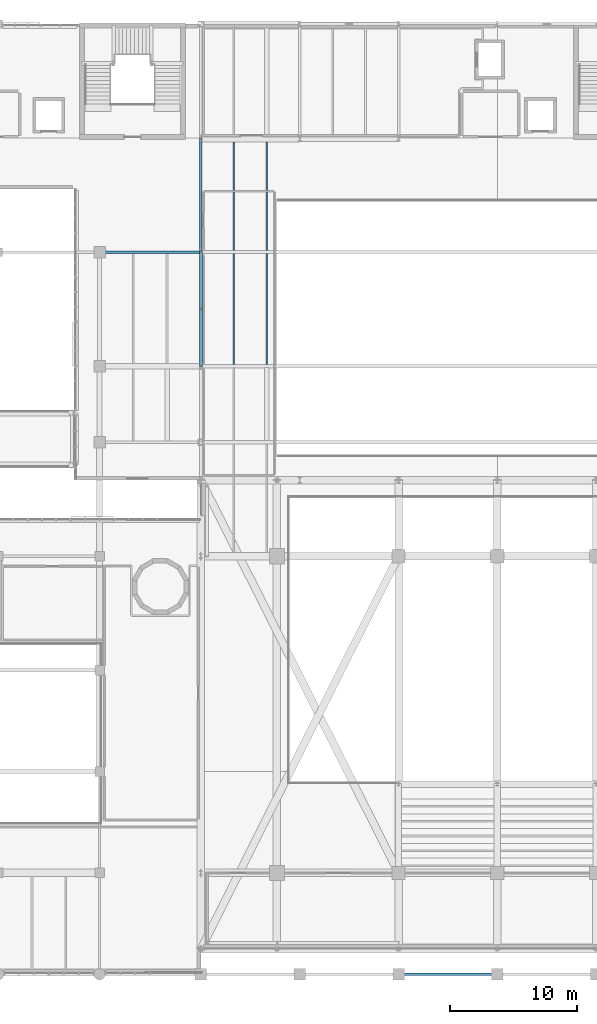
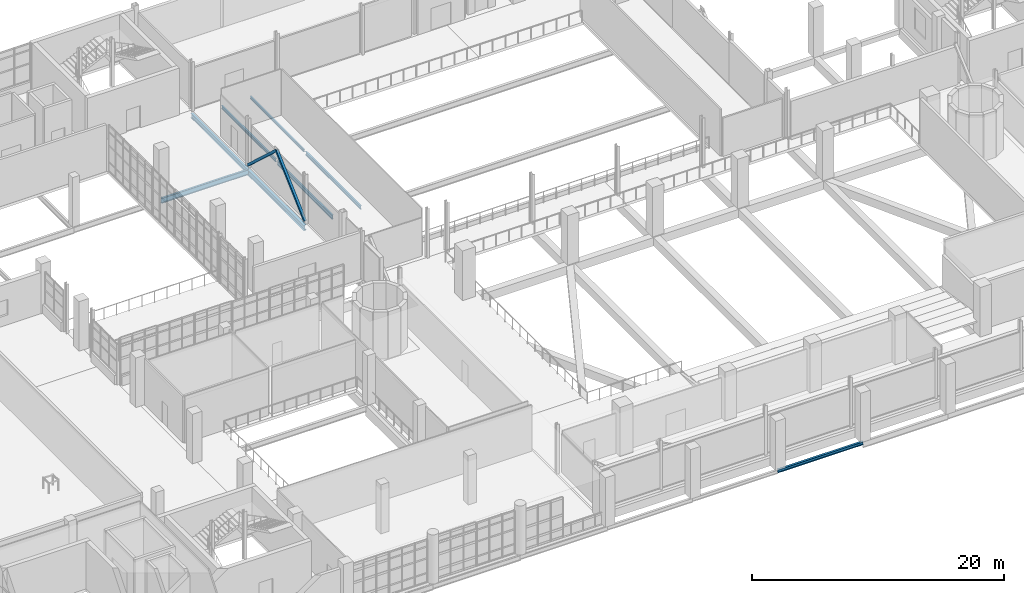
# One storey, part 31 of 100: 8 beams, 2 members.
"""IFC4 building model written with IfcOpenShell, lengths in metres."""

from ifc_helpers import new_model, si_unit, derived_unit, direction, frame, origin, origin_2d, place, context, subcontext, project, spatial, hollow_rectangle, i_section, extrude, material, material_profile, profile_set, type_object, element, save


model = new_model("IFC4")

# Units and contexts
model_context = context("Model", 3, precision=1e-05, world=origin(), true_north=direction((0.0, 1.0)))
body_context = subcontext(model_context, "Body", "Model", "MODEL_VIEW")
ifc_project = project(units=[si_unit("LENGTHUNIT", "METRE"), si_unit("AREAUNIT", "SQUARE_METRE"), si_unit("VOLUMEUNIT", "CUBIC_METRE"), si_unit("PLANEANGLEUNIT", "RADIAN"), si_unit("MASSUNIT", "GRAM", prefix="KILO"), derived_unit("THERMALTRANSMITTANCEUNIT", [(si_unit("POWERUNIT", "WATT"), 1), (si_unit("LENGTHUNIT", "METRE"), -2), (si_unit("THERMODYNAMICTEMPERATUREUNIT", "KELVIN"), -1)])], contexts=[model_context])

# Site, building, storey
site_placement = place(None, origin())
site = spatial("IfcSite", under=ifc_project, at=site_placement, CompositionType="ELEMENT")
building_placement = place(site_placement, origin())
building = spatial("IfcBuilding", under=site, at=building_placement, Name="Nallur Shell Playhouse", CompositionType="ELEMENT")
storey_placement = place(building_placement, frame((0.0, 0.0, 10.199951171875)))
storey = spatial("IfcBuildingStorey", under=building, at=storey_placement, Name="L03", CompositionType="ELEMENT", Elevation=10.199951171875)

# Beams
ifc_material_1 = material(Name="Steel E250", Category="steel")
ifc_material_profile_1 = material_profile(ifc_material_1, i_section(OverallWidth=0.125, OverallDepth=0.25, WebThickness=0.0068359375, FlangeThickness=0.012451171875, FilletRadius=0.012939453125, at=origin_2d()), Name="ISMB 250")
ifc_profile_set_1 = profile_set([ifc_material_profile_1], Name="Steel E250")
beam_type_1 = type_object("IfcBeamType", Name="BM-JST-ISMB250", PredefinedType="JOIST", material=ifc_profile_set_1)
beam_1_placement = place(storey_placement, frame((69.199951171875, 65.123046875, -0.385009765625), z_axis=(0.0, 1.0, 0.0), x_axis=(-1.0, 0.0, 0.0)))
element("IfcBeam", 1, at=beam_1_placement, inside=storey, type_object=beam_type_1, Name="L03 secondary joist 8-H-730", PredefinedType="JOIST", context=body_context, shape_type="SweptSolid", body=[
    extrude(i_section(OverallWidth=0.125, OverallDepth=0.25, WebThickness=0.0068359375, FlangeThickness=0.012451171875, FilletRadius=0.012939453125, at=origin_2d()), origin(), (0.0, 0.0, 1.0), 8.578857421875),
])
ifc_material_profile_2 = material_profile(ifc_material_1, i_section(OverallWidth=0.139892578125, OverallDepth=0.300048828125, WebThickness=0.0078125, FlangeThickness=0.01318359375, FilletRadius=0.013916015625, at=origin_2d()), Name="ISMB 300")
ifc_profile_set_2 = profile_set([ifc_material_profile_2], Name="Steel E250")
beam_type_2 = type_object("IfcBeamType", Name="BM-JST-ISMB300", PredefinedType="JOIST", material=ifc_profile_set_2)
beam_2_placement = place(storey_placement, frame((66.60009765625, 65.123046875, -0.409912109375), z_axis=(0.0, 1.0, 0.0), x_axis=(-1.0, 0.0, 0.0)))
element("IfcBeam", 2, at=beam_2_placement, inside=storey, type_object=beam_type_2, Name="L03 secondary joist 8-H-729", PredefinedType="JOIST", context=body_context, shape_type="SweptSolid", body=[
    extrude(i_section(OverallWidth=0.139892578125, OverallDepth=0.300048828125, WebThickness=0.0078125, FlangeThickness=0.01318359375, FilletRadius=0.013916015625, at=origin_2d()), origin(), (0.0, 0.0, 1.0), 8.578857421875),
])
ifc_material_profile_3 = material_profile(ifc_material_1, i_section(OverallWidth=0.139892578125, OverallDepth=0.35009765625, WebThickness=0.008056640625, FlangeThickness=0.01416015625, FilletRadius=0.013916015625, at=origin_2d()), Name="ISMB 350")
ifc_profile_set_3 = profile_set([ifc_material_profile_3], Name="Steel E250")
beam_type_3 = type_object("IfcBeamType", Name="BM-JST-ISMB350", PredefinedType="JOIST", material=ifc_profile_set_3)
beam_3_placement = place(storey_placement, frame((69.199951171875, 56.123046875, -0.43505859375), z_axis=(0.0, 1.0, 0.0), x_axis=(-1.0, 0.0, 0.0)))
element("IfcBeam", 3, at=beam_3_placement, inside=storey, type_object=beam_type_3, Name="L03 secondary joist 8-G-728", PredefinedType="JOIST", context=body_context, shape_type="SweptSolid", body=[
    extrude(i_section(OverallWidth=0.139892578125, OverallDepth=0.35009765625, WebThickness=0.008056640625, FlangeThickness=0.01416015625, FilletRadius=0.013916015625, at=origin_2d()), origin(), (0.0, 0.0, 1.0), 8.75390625),
])
ifc_material_profile_4 = material_profile(ifc_material_1, i_section(OverallWidth=0.139892578125, OverallDepth=0.39990234375, WebThickness=0.0087890625, FlangeThickness=0.01611328125, FilletRadius=0.013916015625, at=origin_2d()), Name="ISMB 400")
ifc_profile_set_4 = profile_set([ifc_material_profile_4], Name="Steel E250")
beam_type_4 = type_object("IfcBeamType", Name="BM-JST-ISMB400", PredefinedType="JOIST", material=ifc_profile_set_4)
beam_4_placement = place(storey_placement, frame((66.60009765625, 56.123046875, -0.4599609375), z_axis=(0.0, 1.0, 0.0), x_axis=(-1.0, 0.0, 0.0)))
element("IfcBeam", 4, at=beam_4_placement, inside=storey, type_object=beam_type_4, Name="L03 secondary joist 8-G-727", PredefinedType="JOIST", context=body_context, shape_type="SweptSolid", body=[
    extrude(i_section(OverallWidth=0.139892578125, OverallDepth=0.39990234375, WebThickness=0.0087890625, FlangeThickness=0.01611328125, FilletRadius=0.013916015625, at=origin_2d()), origin(), (0.0, 0.0, 1.0), 8.75390625),
])
ifc_material_2 = material(Name="Steel E350", Category="steel")
ifc_material_profile_5 = material_profile(ifc_material_2, i_section(OverallWidth=0.179931640625, OverallDepth=0.5, WebThickness=0.01025390625, FlangeThickness=0.01708984375, FilletRadius=0.01708984375, at=origin_2d()), Name="ISMB 500")
ifc_profile_set_5 = profile_set([ifc_material_profile_5], Name="Steel E350")
beam_type_5 = type_object("IfcBeamType", Name="BM-ST-ISMB500", PredefinedType="BEAM", material=ifc_profile_set_5)
beam_5_placement = place(storey_placement, frame((56.0, 65.0, -0.510009765625), z_axis=(1.0, 0.0, 0.0), x_axis=(0.0, 1.0, 0.0)))
element("IfcBeam", 5, at=beam_5_placement, inside=storey, type_object=beam_type_5, Name="L03 girder X-H-618", PredefinedType="BEAM", context=body_context, shape_type="SweptSolid", body=[
    extrude(i_section(OverallWidth=0.179931640625, OverallDepth=0.5, WebThickness=0.01025390625, FlangeThickness=0.01708984375, FilletRadius=0.01708984375, at=origin_2d()), origin(), (0.0, 0.0, 1.0), 8.0),
])
ifc_material_profile_6 = material_profile(ifc_material_1, i_section(OverallWidth=0.199951171875, OverallDepth=0.300048828125, WebThickness=0.00732421875, FlangeThickness=0.010009765625, FilletRadius=0.010986328125, at=origin_2d()), Name="ISWB 300")
ifc_profile_set_6 = profile_set([ifc_material_profile_6], Name="Steel E250")
beam_type_6 = type_object("IfcBeamType", Name="BM-ST-ISWB300", PredefinedType="BEAM", material=ifc_profile_set_6)
beam_6_placement = place(storey_placement, frame((79.60009765625, 8.0, -0.409912109375), z_axis=(1.0, 0.0, 0.0), x_axis=(0.0, 1.0, 0.0)))
element("IfcBeam", 6, at=beam_6_placement, inside=storey, type_object=beam_type_6, Name="L03 girder X-A-583", PredefinedType="BEAM", context=body_context, shape_type="SweptSolid", body=[
    extrude(i_section(OverallWidth=0.199951171875, OverallDepth=0.300048828125, WebThickness=0.00732421875, FlangeThickness=0.010009765625, FilletRadius=0.010986328125, at=origin_2d()), origin(), (0.0, 0.0, 1.0), 7.7998046875),
])
ifc_material_profile_7 = material_profile(ifc_material_2, i_section(OverallWidth=0.199951171875, OverallDepth=0.449951171875, WebThickness=0.00927734375, FlangeThickness=0.015380859375, FilletRadius=0.013916015625, at=origin_2d()), Name="ISWB 450")
ifc_profile_set_7 = profile_set([ifc_material_profile_7], Name="Steel E350")
beam_type_7 = type_object("IfcBeamType", Name="BM-ST-ISWB450", PredefinedType="BEAM", material=ifc_profile_set_7)
beam_7_placement = place(storey_placement, frame((64.0, 65.0, -0.48486328125), z_axis=(0.0, 1.0, 0.0), x_axis=(-1.0, 0.0, 0.0)))
element("IfcBeam", 7, at=beam_7_placement, inside=storey, type_object=beam_type_7, Name="L03 girder Y-8-660", PredefinedType="BEAM", context=body_context, shape_type="SweptSolid", body=[
    extrude(i_section(OverallWidth=0.199951171875, OverallDepth=0.449951171875, WebThickness=0.00927734375, FlangeThickness=0.015380859375, FilletRadius=0.013916015625, at=origin_2d()), origin(), (0.0, 0.0, 1.0), 9.0),
])
ifc_material_profile_8 = material_profile(ifc_material_2, i_section(OverallWidth=0.25, OverallDepth=0.5, WebThickness=0.010009765625, FlangeThickness=0.0146484375, FilletRadius=0.014892578125, at=origin_2d()), Name="ISWB 500")
ifc_profile_set_8 = profile_set([ifc_material_profile_8], Name="Steel E350")
beam_type_8 = type_object("IfcBeamType", Name="BM-ST-ISWB500", PredefinedType="BEAM", material=ifc_profile_set_8)
beam_8_placement = place(storey_placement, frame((64.0, 56.0, -0.510009765625), z_axis=(0.0, 1.0, 0.0), x_axis=(-1.0, 0.0, 0.0)))
element("IfcBeam", 8, at=beam_8_placement, inside=storey, type_object=beam_type_8, Name="L03 girder Y-8-659", PredefinedType="BEAM", context=body_context, shape_type="SweptSolid", body=[
    extrude(i_section(OverallWidth=0.25, OverallDepth=0.5, WebThickness=0.010009765625, FlangeThickness=0.0146484375, FilletRadius=0.014892578125, at=origin_2d()), origin(), (0.0, 0.0, 1.0), 9.0),
])

# Members
ifc_material_profile_9 = material_profile(ifc_material_2, hollow_rectangle(XDim=0.219970703125, YDim=0.219970703125, WallThickness=0.011962890625, at=origin_2d()), Name="SHS 220x220x12")
ifc_profile_set_9 = profile_set([ifc_material_profile_9], Name="Steel E350")
member_type = type_object("IfcMemberType", Name="MB-FT-BRACE2", PredefinedType="BRACE", material=ifc_profile_set_9)
for number, where, z_axis, x_axis, name in (
    (9, (64.0, 56.0, 0.150146484375), (0.0, 0.735939765256, 0.677047016029), (-1.0, 0.0, 0.0), "Stage fly tower concentric brace BR-FT-L03-017"),
    (10, (64.0, 65.0, 0.150146484375), (0.0, -0.735939765256, 0.677047016029), (1.0, 0.0, 0.0), "Stage fly tower concentric brace BR-FT-L03-018"),
):
    element("IfcMember", number, at=place(storey_placement, frame(where, z_axis=z_axis, x_axis=x_axis)), inside=storey, type_object=member_type, Name=name, PredefinedType="BRACE", context=body_context, shape_type="SweptSolid", body=[
        extrude(hollow_rectangle(XDim=0.219970703125, YDim=0.219970703125, WallThickness=0.011962890625, at=origin_2d()), origin(), (0.0, 0.0, 1.0), 6.11474609375),
    ])

save(model, "model.ifc")
